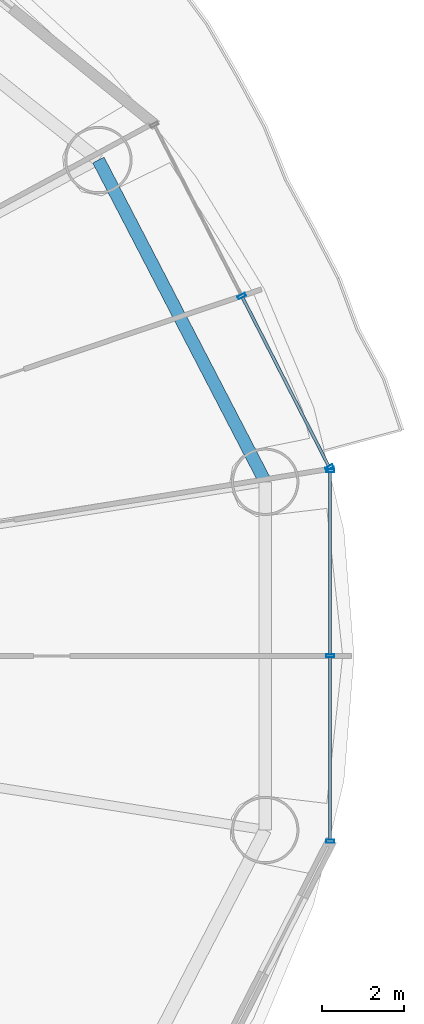
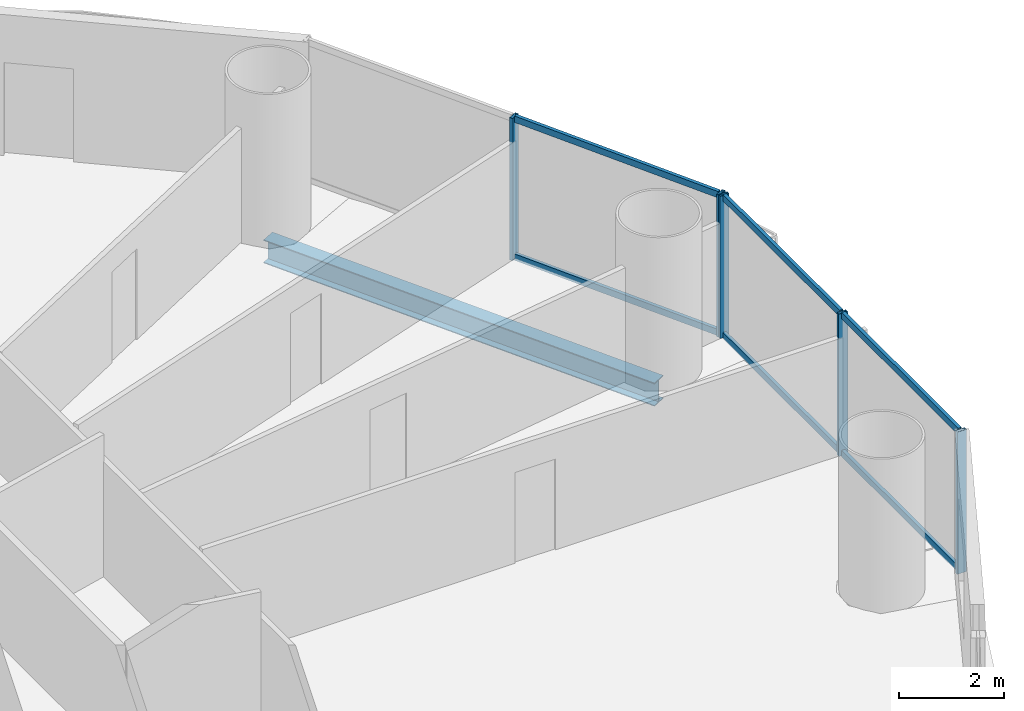
# One storey, part 14 of 29: 11 members, 1 beam, 2 elements without a shape of their own.
"""IFC4 building model written with IfcOpenShell, lengths in metres."""

from ifc_helpers import new_model, si_unit, direction, frame, origin, origin_2d, place, context, subcontext, project, spatial, hollow_rectangle, i_section, extrude, source, transform, mapped, material, material_profile, profile_set, type_object, element, aggregate, save


model = new_model("IFC4")

# Units and contexts
model_context = context("Model", 3, precision=1e-05, world=origin(), true_north=direction((-0.2419218956, 0.970295726276)))
body_context = subcontext(model_context, "Body", "Model", "MODEL_VIEW")
ifc_project = project(units=[si_unit("LENGTHUNIT", "METRE"), si_unit("AREAUNIT", "SQUARE_METRE"), si_unit("VOLUMEUNIT", "CUBIC_METRE"), si_unit("PLANEANGLEUNIT", "RADIAN"), si_unit("MASSUNIT", "GRAM", prefix="KILO")], contexts=[model_context])

# Site, building, storey
site_placement = place(None, origin())
site = spatial("IfcSite", under=ifc_project, at=site_placement, CompositionType="ELEMENT")
building_placement = place(site_placement, origin())
building = spatial("IfcBuilding", under=site, at=building_placement, Name="Cobrevalo Terracotta Tower", CompositionType="ELEMENT")
storey_placement = place(building_placement, frame((0.0, 0.0, 52.800048828125)))
storey = spatial("IfcBuildingStorey", under=building, at=storey_placement, Name="L13", CompositionType="ELEMENT", Elevation=52.800048828125)

# Beam
ifc_material_1 = material(Name="Steel S355", Category="steel")
ifc_material_profile_1 = material_profile(ifc_material_1, i_section(OverallWidth=0.31201171875, OverallDepth=0.54296875, WebThickness=0.0126953125, FlangeThickness=0.020263671875, at=origin_2d()), Name="W 530x150")
ifc_profile_set_1 = profile_set([ifc_material_profile_1], Name="Steel S355")
beam_type = type_object("IfcBeamType", Name="Structural Spandrel W 530x150 (Steel S355)", PredefinedType="SPANDREL", material=ifc_profile_set_1)
beam_placement = place(storey_placement, frame((64.824462890625, 31.062744140625, -0.551513671875), z_axis=(-0.460285838799, 0.88777077368, 0.0), x_axis=(-0.88777077368, -0.460285838799, 0.0)))
element("IfcBeam", 1, at=beam_placement, inside=storey, type_object=beam_type, Name="L13 perimeter ring spandrel 01", PredefinedType="SPANDREL", context=body_context, shape_type="SweptSolid", body=[
    extrude(i_section(OverallWidth=0.31201171875, OverallDepth=0.54296875, WebThickness=0.0126953125, FlangeThickness=0.020263671875, at=origin_2d()), origin(), (0.0, 0.0, 1.0), 8.8720703125),
])

# Curtain wall, members
ifc_material_2 = material(Name="Anodized aluminium", Category="aluminium")
curtain_wall_type = type_object("IfcCurtainWallType", Name="Lower-tower unitised acoustic low-E curtain wall CW-U1", PredefinedType="NOTDEFINED", material=ifc_material_2)
curtain_wall_1_placement = place(storey_placement, origin())
curtain_wall_1 = element("IfcCurtainWall", 2, at=curtain_wall_1_placement, inside=storey, type_object=curtain_wall_type, Name="L13 curtain wall CW-L13-S01", PredefinedType="NOTDEFINED")
ifc_material_profile_2 = material_profile(ifc_material_2, hollow_rectangle(XDim=0.074951171875, YDim=0.199951171875, WallThickness=0.0048828125, at=origin_2d()), Name="CWM 75x200")
ifc_profile_set_2 = profile_set([ifc_material_profile_2], Name="Anodized aluminium")
member_type_1 = type_object("IfcMemberType", Name="Lower/mid tower unitised mullion 75x200", PredefinedType="MULLION", material=ifc_profile_set_2)
shared_shape_1 = source(origin(), body_context, "Body", "SweptSolid", [
    extrude(hollow_rectangle(XDim=0.074951171875, YDim=0.199951171875, WallThickness=0.0048828125, at=origin_2d()), origin(), (0.0, 0.0, 1.0), 3.320068359375),
])
member_1_placement = place(storey_placement, frame((66.39501953125, 31.414306640625, 0.0), z_axis=(0.0, 0.0, 1.0), x_axis=(-0.455234136597, 0.890371765543, 0.0)))
member_1 = element("IfcMember", 3, at=member_1_placement, type_object=member_type_1, Name="CW-L13-S01 vertical mullion 01", PredefinedType="MULLION", context=body_context, shape_type="MappedRepresentation", body=[
    mapped(shared_shape_1, transform((0.0, 0.0, 0.0), scale=1.0)),
])
member_2_placement = place(storey_placement, frame((64.25048828125, 35.60888671875, 0.0), z_axis=(0.0, 0.0, 1.0), x_axis=(-0.455234136597, 0.890371765543, 0.0)))
member_2 = element("IfcMember", 4, at=member_2_placement, type_object=member_type_1, Name="CW-L13-S01 vertical mullion 02", PredefinedType="MULLION", context=body_context, shape_type="MappedRepresentation", body=[
    mapped(shared_shape_1, transform((0.0, 0.0, 0.0), scale=1.0)),
])

curtain_wall_2_placement = place(storey_placement, origin())
curtain_wall_2 = element("IfcCurtainWall", 5, at=curtain_wall_2_placement, inside=storey, type_object=curtain_wall_type, Name="L13 curtain wall CW-L13-S16", PredefinedType="NOTDEFINED")
member_3_placement = place(storey_placement, frame((66.413330078125, 22.26123046875, 0.0), z_axis=(0.0, 0.0, 1.0), x_axis=(0.0, 1.0, 0.0)))
member_3 = element("IfcMember", 6, at=member_3_placement, type_object=member_type_1, Name="CW-L13-S16 vertical mullion 01", PredefinedType="MULLION", context=body_context, shape_type="MappedRepresentation", body=[
    mapped(shared_shape_1, transform((0.0, 0.0, 0.0), scale=1.0)),
])
member_4_placement = place(storey_placement, frame((66.413330078125, 26.800048828125, 0.0), z_axis=(0.0, 0.0, 1.0), x_axis=(0.0, 1.0, 0.0)))
member_4 = element("IfcMember", 7, at=member_4_placement, type_object=member_type_1, Name="CW-L13-S16 vertical mullion 02", PredefinedType="MULLION", context=body_context, shape_type="MappedRepresentation", body=[
    mapped(shared_shape_1, transform((0.0, 0.0, 0.0), scale=1.0)),
])
member_5_placement = place(storey_placement, frame((66.413330078125, 31.3388671875, 0.0), z_axis=(0.0, 0.0, 1.0), x_axis=(0.0, 1.0, 0.0)))
member_5 = element("IfcMember", 8, at=member_5_placement, type_object=member_type_1, Name="CW-L13-S16 vertical mullion 03", PredefinedType="MULLION", context=body_context, shape_type="MappedRepresentation", body=[
    mapped(shared_shape_1, transform((0.0, 0.0, 0.0), scale=1.0)),
])
ifc_material_profile_3 = material_profile(ifc_material_2, hollow_rectangle(XDim=0.074951171875, YDim=0.14990234375, WallThickness=0.00439453125, at=origin_2d()), Name="CWT 75x150")
ifc_profile_set_3 = profile_set([ifc_material_profile_3], Name="Anodized aluminium")
member_type_2 = type_object("IfcMemberType", Name="Tower unitised aluminium transom 75x150", PredefinedType="USERDEFINED", material=ifc_profile_set_3)
shared_shape_2 = source(origin(), body_context, "Body", "SweptSolid", [
    extrude(hollow_rectangle(XDim=0.074951171875, YDim=0.14990234375, WallThickness=0.00439453125, at=origin_2d()), origin(), (0.0, 0.0, 1.0), 4.458740234375),
])
member_6_placement = place(storey_placement, frame((66.413330078125, 22.30126953125, 0.050048828125), z_axis=(0.0, 1.0, 0.0), x_axis=(-1.0, 0.0, 0.0)))
member_6 = element("IfcMember", 9, at=member_6_placement, type_object=member_type_2, Name="CW-L13-S16 transom B01-T1", ObjectType="TRANSOM", PredefinedType="USERDEFINED", context=body_context, shape_type="MappedRepresentation", body=[
    mapped(shared_shape_2, transform((0.0, 0.0, 0.0), scale=1.0)),
])
member_7_placement = place(storey_placement, frame((66.413330078125, 22.30126953125, 3.27001953125), z_axis=(0.0, 1.0, 0.0), x_axis=(-1.0, 0.0, 0.0)))
member_7 = element("IfcMember", 10, at=member_7_placement, type_object=member_type_2, Name="CW-L13-S16 transom B01-T2", ObjectType="TRANSOM", PredefinedType="USERDEFINED", context=body_context, shape_type="MappedRepresentation", body=[
    mapped(shared_shape_2, transform((0.0, 0.0, 0.0), scale=1.0)),
])
member_8_placement = place(storey_placement, frame((66.413330078125, 26.840087890625, 0.050048828125), z_axis=(0.0, 1.0, 0.0), x_axis=(-1.0, 0.0, 0.0)))
member_8 = element("IfcMember", 11, at=member_8_placement, type_object=member_type_2, Name="CW-L13-S16 transom B02-T1", ObjectType="TRANSOM", PredefinedType="USERDEFINED", context=body_context, shape_type="MappedRepresentation", body=[
    mapped(shared_shape_2, transform((0.0, 0.0, 0.0), scale=1.0)),
])
member_9_placement = place(storey_placement, frame((66.413330078125, 26.840087890625, 3.27001953125), z_axis=(0.0, 1.0, 0.0), x_axis=(-1.0, 0.0, 0.0)))
member_9 = element("IfcMember", 12, at=member_9_placement, type_object=member_type_2, Name="CW-L13-S16 transom B02-T2", ObjectType="TRANSOM", PredefinedType="USERDEFINED", context=body_context, shape_type="MappedRepresentation", body=[
    mapped(shared_shape_2, transform((0.0, 0.0, 0.0), scale=1.0)),
])
aggregate(curtain_wall_2, [member_3, member_4, member_5, member_6, member_7, member_8, member_9])

# Member
shared_shape_3 = source(origin(), body_context, "Body", "SweptSolid", [
    extrude(hollow_rectangle(XDim=0.074951171875, YDim=0.14990234375, WallThickness=0.00439453125, at=origin_2d()), origin(), (0.0, 0.0, 1.0), 4.631103515625),
])
member_10_placement = place(storey_placement, frame((66.376953125, 31.449951171875, 0.050048828125), z_axis=(-0.455208584993, 0.890384829245, 0.0), x_axis=(-0.890384829245, -0.455208584993, 0.0)))
member_10 = element("IfcMember", 13, at=member_10_placement, type_object=member_type_2, Name="CW-L13-S01 transom B01-T1", ObjectType="TRANSOM", PredefinedType="USERDEFINED", context=body_context, shape_type="MappedRepresentation", body=[
    mapped(shared_shape_3, transform((0.0, 0.0, 0.0), scale=1.0)),
])

member_11_placement = place(storey_placement, frame((66.376953125, 31.449951171875, 3.27001953125), z_axis=(-0.455208584993, 0.890384829245, 0.0), x_axis=(-0.890384829245, -0.455208584993, 0.0)))
member_11 = element("IfcMember", 14, at=member_11_placement, type_object=member_type_2, Name="CW-L13-S01 transom B01-T2", ObjectType="TRANSOM", PredefinedType="USERDEFINED", context=body_context, shape_type="MappedRepresentation", body=[
    mapped(shared_shape_3, transform((0.0, 0.0, 0.0), scale=1.0)),
])

aggregate(curtain_wall_1, [member_1, member_2, member_10, member_11])

save(model, "model.ifc")
